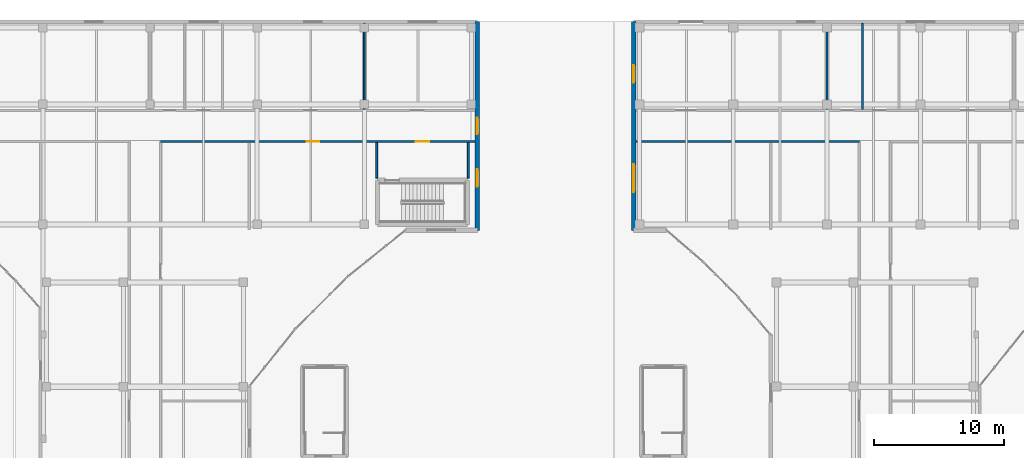
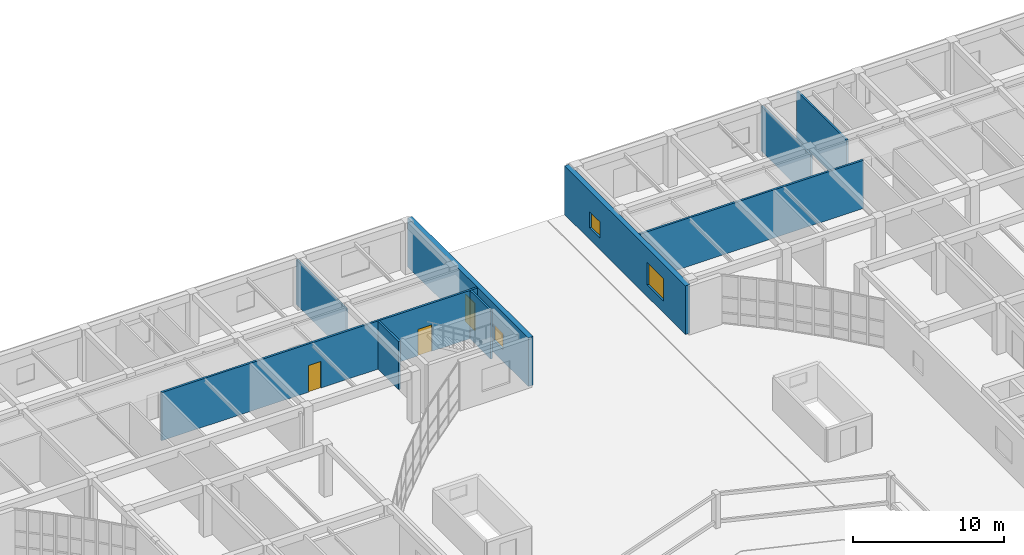
# One storey, part 85 of 114: 9 walls, 3 doors, 3 windows, 6 openings.
"""IFC4 building model written with IfcOpenShell, lengths in metres."""

from ifc_helpers import new_model, si_unit, direction, frame, frame_2d, origin, place, context, subcontext, project, spatial, rectangle, extrude, material, layer, layer_set, type_object, element, fill, save


model = new_model("IFC4")

# Units and contexts
model_context = context("Model", 3, precision=1e-05, world=origin(), true_north=direction((0.0, 1.0)))
body_context = subcontext(model_context, "Body", "Model", "MODEL_VIEW")
ifc_project = project(units=[si_unit("LENGTHUNIT", "METRE"), si_unit("AREAUNIT", "SQUARE_METRE"), si_unit("VOLUMEUNIT", "CUBIC_METRE"), si_unit("PLANEANGLEUNIT", "RADIAN"), si_unit("MASSUNIT", "GRAM", prefix="KILO")], contexts=[model_context])

# Site, building, storey
site_placement = place(None, origin())
site = spatial("IfcSite", under=ifc_project, at=site_placement, CompositionType="ELEMENT")
building_placement = place(site_placement, origin())
building = spatial("IfcBuilding", under=site, at=building_placement, Name="Keldmere Railside Commons", CompositionType="ELEMENT")
storey_placement = place(building_placement, origin())
storey = spatial("IfcBuildingStorey", under=building, at=storey_placement, Name="L00", CompositionType="ELEMENT", Elevation=0.0)

# Wall, openings, doors
ifc_material_1 = material(Name="Acoustic Gypsum Board Partition", Category="gypsum")
ifc_layer_1 = layer(ifc_material_1, 0.159912109375, Name="Corridor Fire Partition 160")
ifc_layer_set_1 = layer_set([ifc_layer_1], Name="Acoustic Gypsum Board Partition")
wall_type_1 = type_object("IfcWallType", Name="Corridor Fire Partition 160", PredefinedType="PARTITIONING", material=ifc_layer_set_1)
wall_1_placement = place(storey_placement, frame((57.199951171875, 106.800048828125, 0.0), z_axis=(0.0, 0.0, 1.0), x_axis=(1.0, 0.0, 0.0)))
wall_1 = element("IfcWall", 1, at=wall_1_placement, inside=storey, type_object=wall_type_1, Name="IW-2 IW-L00-0489", PredefinedType="PARTITIONING", context=body_context, shape_type="SweptSolid", body=[
    extrude(rectangle(XDim=24.1201171875, YDim=0.159912109375, at=frame_2d((12.06005859375, 0.0))), origin(), (0.0, 0.0, 1.0), 3.89501953125),
])
opening_1_placement = place(wall_1_placement, frame((19.574951171875, 0.0, 0.0)))
opening_1 = element("IfcOpeningElement", 2, at=opening_1_placement, cuts=wall_1, Name="Opening FD-1", PredefinedType="OPENING", context=body_context, shape_type="SweptSolid", body=[
    extrude(rectangle(XDim=1.050048828125, YDim=2.14990234375, at=frame_2d((0.52490234375, 1.074951171875))), frame((0.0, 0.08984375, 0.0), z_axis=(0.0, -1.0, 0.0), x_axis=(1.0, 0.0, 0.0)), (0.0, 0.0, 1.0), 0.179931640625),
])
opening_2_placement = place(wall_1_placement, frame((11.215087890625, 0.0, 0.0)))
opening_2 = element("IfcOpeningElement", 3, at=opening_2_placement, cuts=wall_1, Name="Opening ID-08", PredefinedType="OPENING", context=body_context, shape_type="SweptSolid", body=[
    extrude(rectangle(XDim=0.9599609375, YDim=2.14990234375, at=frame_2d((0.47998046875, 1.074951171875))), frame((0.0, 0.08984375, 0.0), z_axis=(0.0, -1.0, 0.0), x_axis=(1.0, 0.0, 0.0)), (0.0, 0.0, 1.0), 0.179931640625),
])
ifc_material_2 = material(Name="Steel F-24 (S235)", Category="steel")
door_type_1 = type_object("IfcDoorType", Name="Stair Core Fire Door 1050x2150", OperationType="NOTDEFINED", PredefinedType="DOOR", material=ifc_material_2)
door_1_placement = place(opening_1_placement, origin())
door_1 = element("IfcDoor", 4, at=door_1_placement, inside=storey, type_object=door_type_1, Name="FD-1 IDR-L00-0386", OperationType="SINGLE_SWING_RIGHT", OverallHeight=2.14990234375, OverallWidth=1.050048828125, PredefinedType="DOOR", context=body_context, shape_type="SweptSolid", body=[
    extrude(rectangle(XDim=1.050048828125, YDim=2.14990234375, at=frame_2d((0.52490234375, 1.074951171875))), frame((0.0, 0.02490234375, 0.0), z_axis=(0.0, -1.0, 0.0), x_axis=(1.0, 0.0, 0.0)), (0.0, 0.0, 1.0), 0.050048828125),
])
fill(opening_1, door_1)
ifc_material_3 = material(Name="Engineered Oak Timber", Category="wood")
door_type_2 = type_object("IfcDoorType", Name="Study & Meeting Room Door 960x2150", OperationType="NOTDEFINED", PredefinedType="DOOR", material=ifc_material_3)
door_2_placement = place(opening_2_placement, origin())
door_2 = element("IfcDoor", 5, at=door_2_placement, inside=storey, type_object=door_type_2, Name="ID-08 IDR-L00-0402", OperationType="SINGLE_SWING_RIGHT", OverallHeight=2.14990234375, OverallWidth=0.9599609375, PredefinedType="DOOR", context=body_context, shape_type="SweptSolid", body=[
    extrude(rectangle(XDim=0.9599609375, YDim=2.14990234375, at=frame_2d((0.47998046875, 1.074951171875))), frame((0.0, 0.02490234375, 0.0), z_axis=(0.0, -1.0, 0.0), x_axis=(1.0, 0.0, 0.0)), (0.0, 0.0, 1.0), 0.050048828125),
])
fill(opening_2, door_2)

# Wall
wall_2_placement = place(storey_placement, frame((93.679931640625, 106.800048828125, 0.0), z_axis=(0.0, 0.0, 1.0), x_axis=(1.0, 0.0, 0.0)))
element("IfcWall", 6, at=wall_2_placement, inside=storey, type_object=wall_type_1, Name="IW-2 IW-L00-0902", PredefinedType="PARTITIONING", context=body_context, shape_type="SweptSolid", body=[
    extrude(rectangle(XDim=17.1201171875, YDim=0.159912109375, at=frame_2d((8.56005859375, 0.0))), origin(), (0.0, 0.0, 1.0), 3.89501953125),
])

# Wall, openings, window, door
ifc_material_4 = material(Name="Concrete H-35 (C35/45)", Category="concrete")
ifc_layer_2 = layer(ifc_material_4, 0.360107421875, Name="Exterior Shear Wall 360")
ifc_layer_set_2 = layer_set([ifc_layer_2], Name="Concrete H-35 (C35/45)")
wall_type_2 = type_object("IfcWallType", Name="Exterior Shear Wall 360", PredefinedType="SHEAR", material=ifc_layer_set_2)
wall_3_placement = place(storey_placement, frame((81.5, 116.0, 0.0), z_axis=(0.0, 0.0, 1.0), x_axis=(0.0, -1.0, 0.0)))
wall_3 = element("IfcWall", 7, at=wall_3_placement, inside=storey, type_object=wall_type_2, Name="ESW-1 EXTC-L00-0321", PredefinedType="SHEAR", context=body_context, shape_type="SweptSolid", body=[
    extrude(rectangle(XDim=16.0, YDim=0.360107421875, at=frame_2d((8.0, 0.0))), origin(), (0.0, 0.0, 1.0), 3.93994140625),
])
opening_3_placement = place(wall_3_placement, frame((7.375, 0.0, 0.0)))
opening_3 = element("IfcOpeningElement", 8, at=opening_3_placement, cuts=wall_3, Name="Opening ED-02", PredefinedType="OPENING", context=body_context, shape_type="SweptSolid", body=[
    extrude(rectangle(XDim=1.25, YDim=2.199951171875, at=frame_2d((0.625, 1.10009765625))), frame((0.0, 0.18994140625, 0.0), z_axis=(0.0, -1.0, 0.0), x_axis=(1.0, 0.0, 0.0)), (0.0, 0.0, 1.0), 0.380126953125),
])
opening_4_placement = place(wall_3_placement, frame((11.324951171875, 0.0, 0.949951171875)))
opening_4 = element("IfcOpeningElement", 9, at=opening_4_placement, cuts=wall_3, Name="Opening WN-25", PredefinedType="OPENING", context=body_context, shape_type="SweptSolid", body=[
    extrude(rectangle(XDim=1.35009765625, YDim=1.300048828125, at=frame_2d((0.675048828125, 0.64990234375))), frame((0.0, 0.18994140625, 0.0), z_axis=(0.0, -1.0, 0.0), x_axis=(1.0, 0.0, 0.0)), (0.0, 0.0, 1.0), 0.380126953125),
])
ifc_material_5 = material(Name="Low-E Insulated Double Glazing", Category="glass")
window_type_1 = type_object("IfcWindowType", Name="Podium Laundry & Mailroom Window 1350x1300", PartitioningType="SINGLE_PANEL", PredefinedType="WINDOW", material=ifc_material_5)
window_1_placement = place(opening_4_placement, origin())
window_1 = element("IfcWindow", 10, at=window_1_placement, inside=storey, type_object=window_type_1, Name="WN-25 WIN-L00-0160", OverallHeight=1.300048828125, OverallWidth=1.35009765625, PartitioningType="SINGLE_PANEL", PredefinedType="WINDOW", context=body_context, shape_type="SweptSolid", body=[
    extrude(rectangle(XDim=1.35009765625, YDim=1.300048828125, at=frame_2d((0.675048828125, 0.64990234375))), frame((0.0, 0.030029296875, 0.0), z_axis=(0.0, -1.0, 0.0), x_axis=(1.0, 0.0, 0.0)), (0.0, 0.0, 1.0), 0.06005859375),
])
fill(opening_4, window_1)
door_type_3 = type_object("IfcDoorType", Name="Stair Final Escape Exit Door 1250x2200", OperationType="NOTDEFINED", PredefinedType="DOOR", material=ifc_material_2)
door_3_placement = place(opening_3_placement, origin())
door_3 = element("IfcDoor", 11, at=door_3_placement, inside=storey, type_object=door_type_3, Name="ED-02 DR-L00-0051", OperationType="SINGLE_SWING_LEFT", OverallHeight=2.199951171875, OverallWidth=1.25, PredefinedType="DOOR", context=body_context, shape_type="SweptSolid", body=[
    extrude(rectangle(XDim=1.25, YDim=2.199951171875, at=frame_2d((0.625, 1.10009765625))), frame((0.0, 0.02490234375, 0.0), z_axis=(0.0, -1.0, 0.0), x_axis=(1.0, 0.0, 0.0)), (0.0, 0.0, 1.0), 0.050048828125),
])
fill(opening_3, door_3)

# Wall, openings, windows
wall_4_placement = place(storey_placement, frame((93.5, 100.0, 0.0), z_axis=(0.0, 0.0, 1.0), x_axis=(0.0, 1.0, 0.0)))
wall_4 = element("IfcWall", 12, at=wall_4_placement, inside=storey, type_object=wall_type_2, Name="ESW-1 EXTB-L00-0581", PredefinedType="SHEAR", context=body_context, shape_type="SweptSolid", body=[
    extrude(rectangle(XDim=16.0, YDim=0.360107421875, at=frame_2d((8.0, 0.0))), origin(), (0.0, 0.0, 1.0), 3.93994140625),
])
opening_5_placement = place(wall_4_placement, frame((2.925048828125, 0.0, 0.949951171875)))
opening_5 = element("IfcOpeningElement", 13, at=opening_5_placement, cuts=wall_4, Name="Opening WN-41", PredefinedType="OPENING", context=body_context, shape_type="SweptSolid", body=[
    extrude(rectangle(XDim=2.14990234375, YDim=1.800048828125, at=frame_2d((1.074951171875, 0.89990234375))), frame((0.0, 0.18994140625, 0.0), z_axis=(0.0, -1.0, 0.0), x_axis=(1.0, 0.0, 0.0)), (0.0, 0.0, 1.0), 0.380126953125),
])
opening_6_placement = place(wall_4_placement, frame((11.324951171875, 0.0, 0.949951171875)))
opening_6 = element("IfcOpeningElement", 14, at=opening_6_placement, cuts=wall_4, Name="Opening WN-25", PredefinedType="OPENING", context=body_context, shape_type="SweptSolid", body=[
    extrude(rectangle(XDim=1.35009765625, YDim=1.300048828125, at=frame_2d((0.675048828125, 0.64990234375))), frame((0.0, 0.18994140625, 0.0), z_axis=(0.0, -1.0, 0.0), x_axis=(1.0, 0.0, 0.0)), (0.0, 0.0, 1.0), 0.380126953125),
])
window_type_2 = type_object("IfcWindowType", Name="North Plinth Gallery Window 2150x1800", PartitioningType="SINGLE_PANEL", PredefinedType="WINDOW", material=ifc_material_5)
window_2_placement = place(opening_5_placement, origin())
window_2 = element("IfcWindow", 15, at=window_2_placement, inside=storey, type_object=window_type_2, Name="WN-41 WIN-L00-0358", OverallHeight=1.800048828125, OverallWidth=2.14990234375, PartitioningType="SINGLE_PANEL", PredefinedType="WINDOW", context=body_context, shape_type="SweptSolid", body=[
    extrude(rectangle(XDim=2.14990234375, YDim=1.800048828125, at=frame_2d((1.074951171875, 0.89990234375))), frame((0.0, 0.030029296875, 0.0), z_axis=(0.0, -1.0, 0.0), x_axis=(1.0, 0.0, 0.0)), (0.0, 0.0, 1.0), 0.06005859375),
])
fill(opening_5, window_2)
window_3_placement = place(opening_6_placement, origin())
window_3 = element("IfcWindow", 16, at=window_3_placement, inside=storey, type_object=window_type_1, Name="WN-25 WIN-L00-0359", OverallHeight=1.300048828125, OverallWidth=1.35009765625, PartitioningType="SINGLE_PANEL", PredefinedType="WINDOW", context=body_context, shape_type="SweptSolid", body=[
    extrude(rectangle(XDim=1.35009765625, YDim=1.300048828125, at=frame_2d((0.675048828125, 0.64990234375))), frame((0.0, 0.030029296875, 0.0), z_axis=(0.0, -1.0, 0.0), x_axis=(1.0, 0.0, 0.0)), (0.0, 0.0, 1.0), 0.06005859375),
])
fill(opening_6, window_3)

# Walls
ifc_layer_3 = layer(ifc_material_1, 0.14990234375, Name="Lobby Rated Partition 150")
ifc_layer_set_3 = layer_set([ifc_layer_3], Name="Acoustic Gypsum Board Partition")
wall_type_3 = type_object("IfcWallType", Name="Lobby Rated Partition 150", PredefinedType="PARTITIONING", material=ifc_layer_set_3)
for number, where, z_axis, x_axis, name in (
    (17, (73.780029296875, 103.989990234375, 0.0), (0.0, 0.0, 1.0), (0.0, 1.0, 0.0), "IW-3 IW-L00-0493"),
    (18, (80.820068359375, 103.989990234375, 0.0), (0.0, 0.0, 1.0), (0.0, 1.0, 0.0), "IW-3 IW-L00-0494"),
):
    element("IfcWall", number, at=place(storey_placement, frame(where, z_axis=z_axis, x_axis=x_axis)), inside=storey, type_object=wall_type_3, Name=name, PredefinedType="PARTITIONING", context=body_context, shape_type="SweptSolid", body=[
        extrude(rectangle(XDim=2.72998046875, YDim=0.14990234375, at=frame_2d((1.364990234375, 0.0))), origin(), (0.0, 0.0, 1.0), 3.89501953125),
    ])
ifc_layer_4 = layer(ifc_material_1, 0.139892578125, Name="Wet-Room Sanitary Partition 140")
ifc_layer_set_4 = layer_set([ifc_layer_4], Name="Acoustic Gypsum Board Partition")
wall_type_4 = type_object("IfcWallType", Name="Wet-Room Sanitary Partition 140", PredefinedType="PARTITIONING", material=ifc_layer_set_4)
wall_5_placement = place(storey_placement, frame((72.830078125, 109.280029296875, 0.0), z_axis=(0.0, 0.0, 1.0), x_axis=(0.0, 1.0, 0.0)))
element("IfcWall", 19, at=wall_5_placement, inside=storey, type_object=wall_type_4, Name="IW-5 IW-L00-0502", PredefinedType="PARTITIONING", context=body_context, shape_type="SweptSolid", body=[
    extrude(rectangle(XDim=6.599853515625, YDim=0.139892578125, at=frame_2d((3.2998046875, 0.0))), origin(), (0.0, 0.0, 1.0), 3.639892578125),
])
wall_6_placement = place(storey_placement, frame((108.320068359375, 109.280029296875, 0.0), z_axis=(0.0, 0.0, 1.0), x_axis=(0.0, 1.0, 0.0)))
element("IfcWall", 20, at=wall_6_placement, inside=storey, type_object=wall_type_4, Name="IW-5 IW-L00-0913", PredefinedType="PARTITIONING", context=body_context, shape_type="SweptSolid", body=[
    extrude(rectangle(XDim=6.590087890625, YDim=0.139892578125, at=frame_2d((3.294921875, 0.0))), origin(), (0.0, 0.0, 1.0), 3.639892578125),
])
wall_7_placement = place(storey_placement, frame((111.050048828125, 109.280029296875, 0.0), z_axis=(0.0, 0.0, 1.0), x_axis=(0.0, 1.0, 0.0)))
element("IfcWall", 21, at=wall_7_placement, inside=storey, type_object=wall_type_4, Name="IW-5 IW-L00-0914", PredefinedType="PARTITIONING", context=body_context, shape_type="SweptSolid", body=[
    extrude(rectangle(XDim=6.590087890625, YDim=0.139892578125, at=frame_2d((3.294921875, 0.0))), origin(), (0.0, 0.0, 1.0), 3.89501953125),
])

save(model, "model.ifc")
